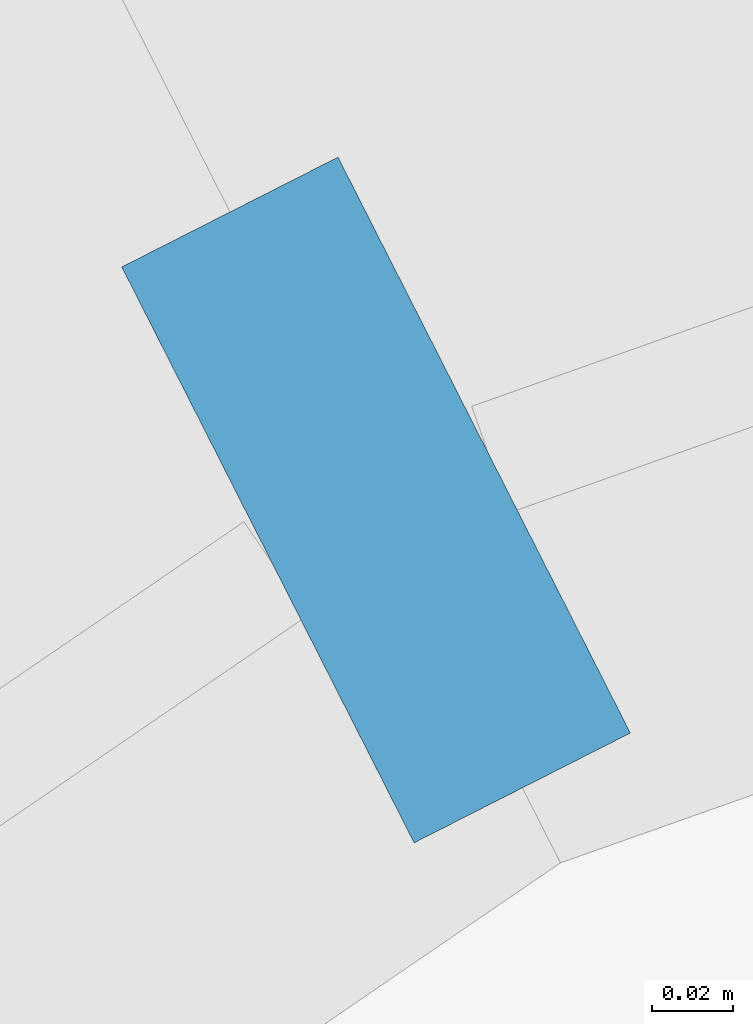
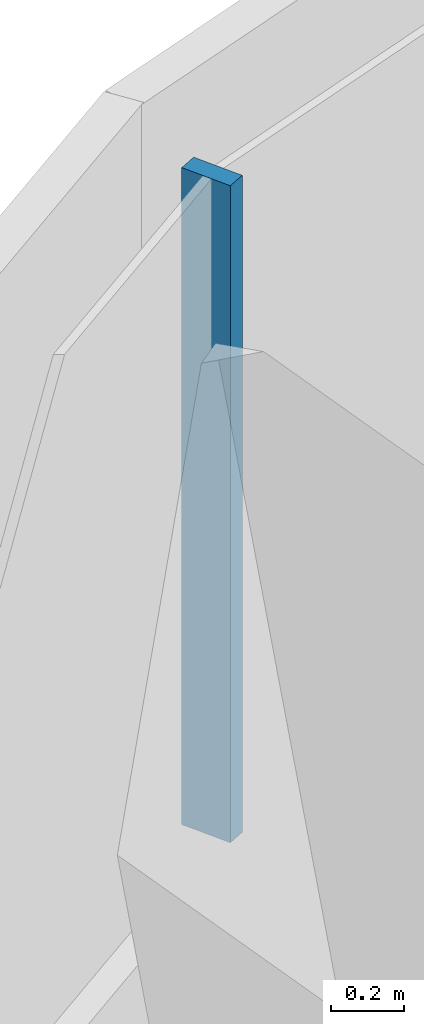
# One storey, part 18 of 33: 1 member, 1 element without a shape of its own.
"""IFC4 building model written with IfcOpenShell, lengths in metres."""

from ifc_helpers import new_model, si_unit, direction, frame, origin, origin_2d, place, context, subcontext, project, spatial, rectangle, extrude, material, layer, layer_set, material_profile, profile_set, type_object, element, aggregate, save


model = new_model("IFC4")

# Units and contexts
model_context = context("Model", 3, precision=1e-05, world=origin(), true_north=direction((0.0, 1.0)))
body_context = subcontext(model_context, "Body", "Model", "MODEL_VIEW")
ifc_project = project(units=[si_unit("LENGTHUNIT", "METRE"), si_unit("AREAUNIT", "SQUARE_METRE"), si_unit("VOLUMEUNIT", "CUBIC_METRE"), si_unit("PLANEANGLEUNIT", "RADIAN"), si_unit("MASSUNIT", "GRAM", prefix="KILO")], contexts=[model_context])

# Site, building, storey
site_placement = place(None, origin())
site = spatial("IfcSite", under=ifc_project, at=site_placement, CompositionType="ELEMENT")
building_placement = place(site_placement, origin())
building = spatial("IfcBuilding", under=site, at=building_placement, Name="Tamarind Cross Interchange Tower", CompositionType="ELEMENT")
storey_placement = place(building_placement, frame((0.0, 0.0, 159.25)))
storey = spatial("IfcBuildingStorey", under=building, at=storey_placement, Name="L39", CompositionType="ELEMENT", Elevation=159.25)

# Curtain wall, member
ifc_material = material(Name="Aluminium 6063-T6", Category="aluminium")
ifc_layer = layer(ifc_material, 0.159912109375)
ifc_layer_set = layer_set([ifc_layer], Name="Aluminium 6063-T6")
curtain_wall_type = type_object("IfcCurtainWallType", Name="Office curtain wall, 9.0 m bays", PredefinedType="NOTDEFINED", material=ifc_layer_set)
curtain_wall_placement = place(storey_placement, origin())
curtain_wall = element("IfcCurtainWall", 1, at=curtain_wall_placement, inside=storey, type_object=curtain_wall_type, Name="CWS-L39-09", PredefinedType="NOTDEFINED")
ifc_material_profile = material_profile(ifc_material, rectangle(XDim=0.06005859375, YDim=0.159912109375, at=origin_2d()), Name="Mullion CW1")
ifc_profile_set = profile_set([ifc_material_profile], Name="Aluminium 6063-T6")
member_type = type_object("IfcMemberType", Name="Mullion CW1", PredefinedType="MULLION", material=ifc_profile_set)
member_placement = place(storey_placement, frame((39.144287109375, 20.0224609375, 1.39990234375), z_axis=(0.0, 0.0, 1.0), x_axis=(-0.8916706144, -0.452684785934, 0.0)))
member = element("IfcMember", 2, at=member_placement, type_object=member_type, Name="CWM-L39-09-00", PredefinedType="MULLION", context=body_context, shape_type="SweptSolid", body=[
    extrude(rectangle(XDim=0.06005859375, YDim=0.159912109375, at=origin_2d()), origin(), (0.0, 0.0, 1.0), 2.210205078125),
])
aggregate(curtain_wall, [member])

save(model, "model.ifc")
